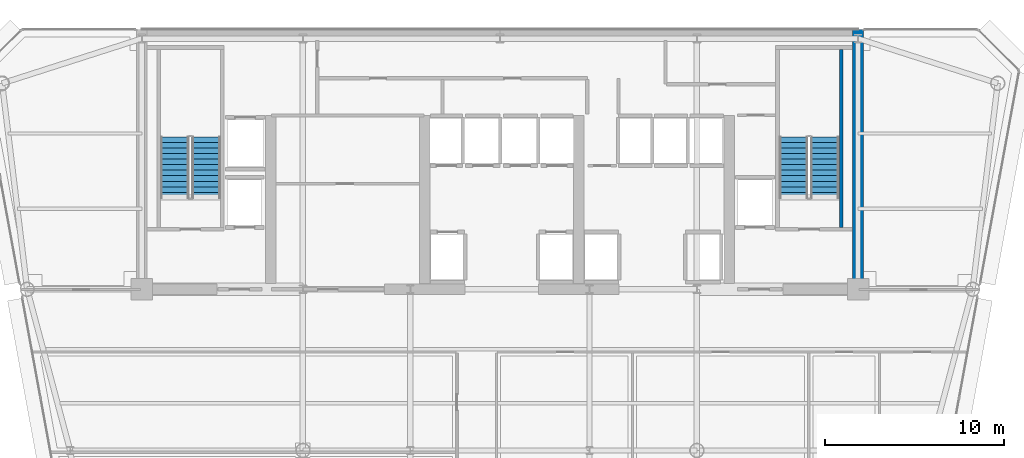
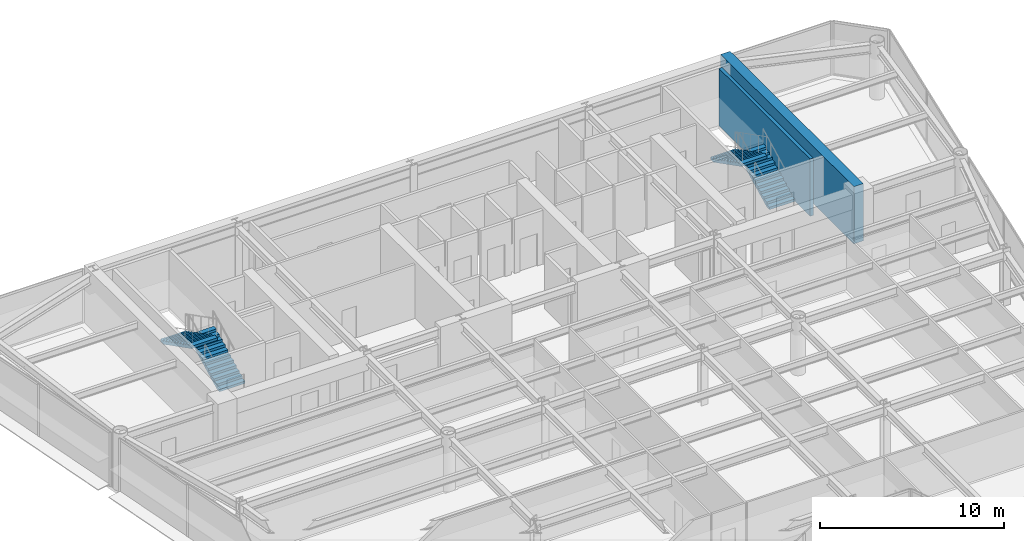
# One storey, part 12 of 16: 4 stair flights, 2 walls, 2 elements without a shape of their own.
"""IFC4 building model written with IfcOpenShell, lengths in metres."""

from ifc_helpers import new_model, si_unit, direction, frame, frame_2d, origin, place, context, subcontext, project, spatial, polyline, rectangle, outline, extrude, material, layer, layer_set, type_object, element, aggregate, save


model = new_model("IFC4")

# Units and contexts
model_context = context("Model", 3, precision=1e-05, world=origin(), true_north=direction((0.0, 1.0)))
body_context = subcontext(model_context, "Body", "Model", "MODEL_VIEW")
ifc_project = project(units=[si_unit("LENGTHUNIT", "METRE"), si_unit("AREAUNIT", "SQUARE_METRE"), si_unit("VOLUMEUNIT", "CUBIC_METRE"), si_unit("PLANEANGLEUNIT", "RADIAN"), si_unit("MASSUNIT", "GRAM", prefix="KILO")], contexts=[model_context])

# Site, building, storey
site_placement = place(None, origin())
site = spatial("IfcSite", under=ifc_project, at=site_placement, CompositionType="ELEMENT")
building_placement = place(site_placement, origin())
building = spatial("IfcBuilding", under=site, at=building_placement, Name="Vaeldorn Concourse Tower", CompositionType="ELEMENT")
storey_placement = place(building_placement, frame((0.0, 0.0, 184.199951171875)))
storey = spatial("IfcBuildingStorey", under=building, at=storey_placement, Name="L47", CompositionType="ELEMENT", Elevation=184.199951171875)

# Walls
ifc_material_1 = material(Name="Concrete C50/60", Category="concrete")
ifc_layer_1 = layer(ifc_material_1, 0.60009765625)
ifc_layer_set_1 = layer_set([ifc_layer_1], Name="Concrete C50/60")
wall_type_1 = type_object("IfcWallType", Name="WL-CORE-600", PredefinedType="SHEAR", material=ifc_layer_set_1)
wall_1_placement = place(storey_placement, frame((54.0, 36.5, 0.0), z_axis=(0.0, 0.0, 1.0), x_axis=(0.0, 1.0, 0.0)))
element("IfcWall", 1, at=wall_1_placement, inside=storey, type_object=wall_type_1, Name="Rear Core Shear Wall L47 E1", PredefinedType="SHEAR", context=body_context, shape_type="SweptSolid", body=[
    extrude(rectangle(XDim=14.5, YDim=0.60009765625, at=frame_2d((7.25, 0.0))), origin(), (0.0, 0.0, 1.0), 3.800048828125),
])
ifc_layer_2 = layer(ifc_material_1, 0.199951171875)
ifc_layer_set_2 = layer_set([ifc_layer_2], Name="Concrete C50/60")
wall_type_2 = type_object("IfcWallType", Name="WL-SHAFT-200", PredefinedType="SOLIDWALL", material=ifc_layer_set_2)
wall_2_placement = place(storey_placement, frame((53.050048828125, 39.9599609375, 0.0), z_axis=(0.0, 0.0, 1.0), x_axis=(0.0, 1.0, 0.0)))
element("IfcWall", 2, at=wall_2_placement, inside=storey, type_object=wall_type_2, Name="Stair Shaft Wall CW-L47-ST-2-E", PredefinedType="SOLIDWALL", context=body_context, shape_type="SweptSolid", body=[
    extrude(rectangle(XDim=9.929931640625, YDim=0.199951171875, at=frame_2d((4.96484375, 0.0))), origin(), (0.0, 0.0, 1.0), 3.800048828125),
])

# Stair, stair flights
ifc_material_2 = material(Name="Precast concrete C40/50", Category="concrete")
stair_type = type_object("IfcStairType", Name="STR-DOG-24x158", PredefinedType="HALF_TURN_STAIR", material=ifc_material_2)
stair_1_placement = place(storey_placement, origin())
stair_1 = element("IfcStair", 3, at=stair_1_placement, inside=storey, type_object=stair_type, Name="L47 West Core Exit Stair ST-1", PredefinedType="HALF_TURN_STAIR")
stair_flight_type = type_object("IfcStairFlightType", Name="STF-STR-12x158", PredefinedType="STRAIGHT", material=ifc_material_2)
stair_flight_1_placement = place(storey_placement, frame((17.60009765625, 41.60009765625, 0.0), z_axis=(0.0, 0.0, 1.0), x_axis=(0.0, 1.0, 0.0)))
stair_flight_1 = element("IfcStairFlight", 4, at=stair_flight_1_placement, type_object=stair_flight_type, Name="ST-1 flight 1", NumberOfRisers=12, NumberOfTreads=11, PredefinedType="STRAIGHT", RiserHeight=0.158333333, TreadLength=0.31, context=body_context, shape_type="SweptSolid", body=[
    extrude(outline(polyline([(0.0, 0.0), (0.0, 0.158447265625), (0.31005859375, 0.158447265625), (0.31005859375, 0.316650390625), (0.6201171875, 0.316650390625), (0.6201171875, 0.47509765625), (0.929931640625, 0.47509765625), (0.929931640625, 0.63330078125), (1.239990234375, 0.63330078125), (1.239990234375, 0.791748046875), (1.550048828125, 0.791748046875), (1.550048828125, 0.949951171875), (1.860107421875, 0.949951171875), (1.860107421875, 1.1083984375), (2.169921875, 1.1083984375), (2.169921875, 1.2666015625), (2.47998046875, 1.2666015625), (2.47998046875, 1.425048828125), (2.7900390625, 1.425048828125), (2.7900390625, 1.583251953125), (3.10009765625, 1.583251953125), (3.10009765625, 1.74169921875), (3.409912109375, 1.74169921875), (3.409912109375, 1.89990234375), (3.409912109375, 1.5732421875), (0.32958984375, 0.0), (0.0, 0.0)])), frame((0.0, 0.800048828125, 0.0), z_axis=(0.0, -1.0, 0.0), x_axis=(1.0, 0.0, 0.0)), (0.0, 0.0, 1.0), 1.60009765625),
])
stair_flight_2_placement = place(storey_placement, frame((15.85009765625, 45.010009765625, 1.900146484375), z_axis=(0.0, 0.0, 1.0), x_axis=(0.0, -1.0, 0.0)))
stair_flight_2 = element("IfcStairFlight", 5, at=stair_flight_2_placement, type_object=stair_flight_type, Name="ST-1 flight 2", NumberOfRisers=12, NumberOfTreads=11, PredefinedType="STRAIGHT", RiserHeight=0.158333333, TreadLength=0.31, context=body_context, shape_type="SweptSolid", body=[
    extrude(outline(polyline([(0.0, 0.0), (0.0, 0.158447265625), (0.31005859375, 0.158447265625), (0.31005859375, 0.316650390625), (0.6201171875, 0.316650390625), (0.6201171875, 0.47509765625), (0.929931640625, 0.47509765625), (0.929931640625, 0.63330078125), (1.239990234375, 0.63330078125), (1.239990234375, 0.791748046875), (1.550048828125, 0.791748046875), (1.550048828125, 0.949951171875), (1.860107421875, 0.949951171875), (1.860107421875, 1.1083984375), (2.169921875, 1.1083984375), (2.169921875, 1.2666015625), (2.47998046875, 1.2666015625), (2.47998046875, 1.425048828125), (2.7900390625, 1.425048828125), (2.7900390625, 1.583251953125), (3.10009765625, 1.583251953125), (3.10009765625, 1.74169921875), (3.409912109375, 1.74169921875), (3.409912109375, 1.89990234375), (3.409912109375, 1.5732421875), (0.32958984375, 0.0), (0.0, 0.0)])), frame((0.0, 0.800048828125, 0.0), z_axis=(0.0, -1.0, 0.0), x_axis=(1.0, 0.0, 0.0)), (0.0, 0.0, 1.0), 1.60009765625),
])
aggregate(stair_1, [stair_flight_1, stair_flight_2])

stair_2_placement = place(storey_placement, origin())
stair_2 = element("IfcStair", 6, at=stair_2_placement, inside=storey, type_object=stair_type, Name="L47 East Core Exit Stair ST-2", PredefinedType="HALF_TURN_STAIR")
stair_flight_3_placement = place(storey_placement, frame((52.14990234375, 41.60009765625, 0.0), z_axis=(0.0, 0.0, 1.0), x_axis=(0.0, 1.0, 0.0)))
stair_flight_3 = element("IfcStairFlight", 7, at=stair_flight_3_placement, type_object=stair_flight_type, Name="ST-2 flight 1", NumberOfRisers=12, NumberOfTreads=11, PredefinedType="STRAIGHT", RiserHeight=0.158333333, TreadLength=0.31, context=body_context, shape_type="SweptSolid", body=[
    extrude(outline(polyline([(0.0, 0.0), (0.0, 0.158447265625), (0.31005859375, 0.158447265625), (0.31005859375, 0.316650390625), (0.6201171875, 0.316650390625), (0.6201171875, 0.47509765625), (0.929931640625, 0.47509765625), (0.929931640625, 0.63330078125), (1.239990234375, 0.63330078125), (1.239990234375, 0.791748046875), (1.550048828125, 0.791748046875), (1.550048828125, 0.949951171875), (1.860107421875, 0.949951171875), (1.860107421875, 1.1083984375), (2.169921875, 1.1083984375), (2.169921875, 1.2666015625), (2.47998046875, 1.2666015625), (2.47998046875, 1.425048828125), (2.7900390625, 1.425048828125), (2.7900390625, 1.583251953125), (3.10009765625, 1.583251953125), (3.10009765625, 1.74169921875), (3.409912109375, 1.74169921875), (3.409912109375, 1.89990234375), (3.409912109375, 1.5732421875), (0.32958984375, 0.0), (0.0, 0.0)])), frame((0.0, 0.800048828125, 0.0), z_axis=(0.0, -1.0, 0.0), x_axis=(1.0, 0.0, 0.0)), (0.0, 0.0, 1.0), 1.60009765625),
])
stair_flight_4_placement = place(storey_placement, frame((50.39990234375, 45.010009765625, 1.900146484375), z_axis=(0.0, 0.0, 1.0), x_axis=(0.0, -1.0, 0.0)))
stair_flight_4 = element("IfcStairFlight", 8, at=stair_flight_4_placement, type_object=stair_flight_type, Name="ST-2 flight 2", NumberOfRisers=12, NumberOfTreads=11, PredefinedType="STRAIGHT", RiserHeight=0.158333333, TreadLength=0.31, context=body_context, shape_type="SweptSolid", body=[
    extrude(outline(polyline([(0.0, 0.0), (0.0, 0.158447265625), (0.31005859375, 0.158447265625), (0.31005859375, 0.316650390625), (0.6201171875, 0.316650390625), (0.6201171875, 0.47509765625), (0.929931640625, 0.47509765625), (0.929931640625, 0.63330078125), (1.239990234375, 0.63330078125), (1.239990234375, 0.791748046875), (1.550048828125, 0.791748046875), (1.550048828125, 0.949951171875), (1.860107421875, 0.949951171875), (1.860107421875, 1.1083984375), (2.169921875, 1.1083984375), (2.169921875, 1.2666015625), (2.47998046875, 1.2666015625), (2.47998046875, 1.425048828125), (2.7900390625, 1.425048828125), (2.7900390625, 1.583251953125), (3.10009765625, 1.583251953125), (3.10009765625, 1.74169921875), (3.409912109375, 1.74169921875), (3.409912109375, 1.89990234375), (3.409912109375, 1.5732421875), (0.32958984375, 0.0), (0.0, 0.0)])), frame((0.0, 0.800048828125, 0.0), z_axis=(0.0, -1.0, 0.0), x_axis=(1.0, 0.0, 0.0)), (0.0, 0.0, 1.0), 1.60009765625),
])
aggregate(stair_2, [stair_flight_3, stair_flight_4])

save(model, "model.ifc")
